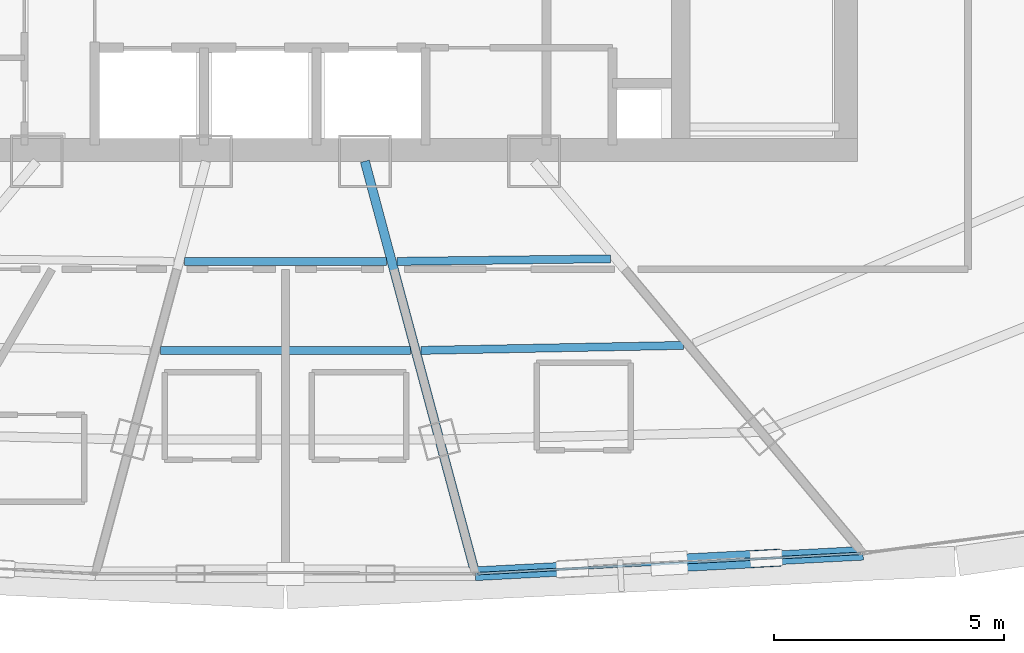
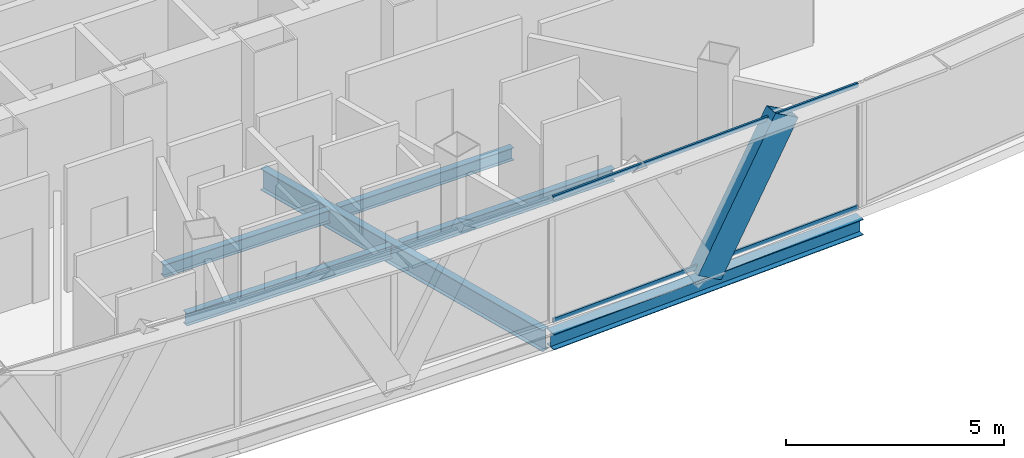
# One storey, part 11 of 37: 6 beams, 3 members, 1 element without a shape of its own.
"""IFC4 building model written with IfcOpenShell, lengths in metres."""

from ifc_helpers import new_model, si_unit, direction, frame, origin, origin_2d, place, context, subcontext, project, spatial, hollow_rectangle, i_section, extrude, source, transform, mapped, material, layer, layer_set, material_profile, profile_set, type_object, element, aggregate, save


model = new_model("IFC4")

# Units and contexts
model_context = context("Model", 3, precision=1e-05, world=origin(), true_north=direction((0.0, 1.0)))
body_context = subcontext(model_context, "Body", "Model", "MODEL_VIEW")
ifc_project = project(units=[si_unit("LENGTHUNIT", "METRE"), si_unit("AREAUNIT", "SQUARE_METRE"), si_unit("VOLUMEUNIT", "CUBIC_METRE"), si_unit("PLANEANGLEUNIT", "RADIAN"), si_unit("MASSUNIT", "GRAM", prefix="KILO"), si_unit("THERMODYNAMICTEMPERATUREUNIT", "KELVIN"), si_unit("POWERUNIT", "WATT")], contexts=[model_context])

# Site, building, storey
site_placement = place(None, origin())
site = spatial("IfcSite", under=ifc_project, at=site_placement, CompositionType="ELEMENT")
building_placement = place(site_placement, origin())
building = spatial("IfcBuilding", under=site, at=building_placement, Name="Yunzhuo Pagoda Commons", CompositionType="ELEMENT")
storey_placement = place(building_placement, frame((0.0, 0.0, 281.2900390625)))
storey = spatial("IfcBuildingStorey", under=building, at=storey_placement, Name="L70", CompositionType="ELEMENT", Elevation=281.2900390625)

# Beams
ifc_material_1 = material(Name="Structural steel Q355B", Category="steel")
ifc_material_profile_1 = material_profile(ifc_material_1, i_section(OverallWidth=0.300048828125, OverallDepth=0.43994140625, WebThickness=0.010986328125, FlangeThickness=0.01806640625, at=origin_2d()), Name="Structural steel Q355B")
ifc_profile_set_1 = profile_set([ifc_material_profile_1], Name="Structural steel Q355B")
beam_type_1 = type_object("IfcBeamType", Name="B-SP2 Beam HM 440x300x11x18", PredefinedType="BEAM", material=ifc_profile_set_1)
shared_shape_1 = source(origin(), body_context, "Body", "SweptSolid", [
    extrude(i_section(OverallWidth=0.300048828125, OverallDepth=0.43994140625, WebThickness=0.010986328125, FlangeThickness=0.01806640625, at=origin_2d()), origin(), (0.0, 0.0, 1.0), 8.447509765625),
])
beam_1_placement = place(storey_placement, frame((52.133056640625, 18.275390625, -0.47998046875), z_axis=(0.998606549518, 0.052772713206, 0.0), x_axis=(-0.052772713206, 0.998606549518, 0.0)))
element("IfcBeam", 1, at=beam_1_placement, inside=storey, type_object=beam_type_1, Name="L70 facade edge spandrel beam F1.3", PredefinedType="BEAM", context=body_context, shape_type="MappedRepresentation", body=[
    mapped(shared_shape_1, transform((0.0, 0.0, 0.0), scale=1.0)),
])
ifc_material_profile_2 = material_profile(ifc_material_1, i_section(OverallWidth=0.199951171875, OverallDepth=0.60009765625, WebThickness=0.010986328125, FlangeThickness=0.01708984375, at=origin_2d()), Name="Structural steel Q355B")
ifc_profile_set_2 = profile_set([ifc_material_profile_2], Name="Structural steel Q355B")
beam_type_2 = type_object("IfcBeamType", Name="B-RG3 Beam HN 600x200x11x17", PredefinedType="BEAM", material=ifc_profile_set_2)
shared_shape_2 = source(origin(), body_context, "Body", "SweptSolid", [
    extrude(i_section(OverallWidth=0.199951171875, OverallDepth=0.60009765625, WebThickness=0.010986328125, FlangeThickness=0.01708984375, at=origin_2d()), origin(), (0.0, 0.0, 1.0), 9.136474609375),
])
beam_2_placement = place(storey_placement, frame((52.093017578125, 18.4248046875, -0.559814453125), z_axis=(-0.258798416467, 0.965931353479, 0.0), x_axis=(-0.965931353479, -0.258798416467, 0.0)))
element("IfcBeam", 2, at=beam_2_placement, inside=storey, type_object=beam_type_2, Name="L70 radial floor girder F1C3", PredefinedType="BEAM", context=body_context, shape_type="MappedRepresentation", body=[
    mapped(shared_shape_2, transform((0.0, 0.0, 0.0), scale=1.0)),
])
ifc_material_profile_3 = material_profile(ifc_material_1, i_section(OverallWidth=0.175048828125, OverallDepth=0.35009765625, WebThickness=0.007080078125, FlangeThickness=0.010986328125, at=origin_2d()), Name="Structural steel Q355B")
ifc_profile_set_3 = profile_set([ifc_material_profile_3], Name="Structural steel Q355B")
beam_type_3 = type_object("IfcBeamType", Name="B-JS2 Joist HN 350x175x7x11", PredefinedType="JOIST", material=ifc_profile_set_3)
shared_shape_3 = source(origin(), body_context, "Body", "SweptSolid", [
    extrude(i_section(OverallWidth=0.175048828125, OverallDepth=0.35009765625, WebThickness=0.007080078125, FlangeThickness=0.010986328125, at=origin_2d()), origin(), (0.0, 0.0, 1.0), 4.64892578125),
])
beam_3_placement = place(storey_placement, frame((50.42724609375, 25.07177734375, -0.434814453125), z_axis=(0.999924495467, 0.012288342626, 0.0), x_axis=(-0.012288342626, 0.999924495467, 0.0)))
element("IfcBeam", 3, at=beam_3_placement, inside=storey, type_object=beam_type_3, Name="L70 composite ring joist 1.3", PredefinedType="JOIST", context=body_context, shape_type="MappedRepresentation", body=[
    mapped(shared_shape_3, transform((0.0, 0.0, 0.0), scale=1.0)),
])
shared_shape_4 = source(origin(), body_context, "Body", "SweptSolid", [
    extrude(i_section(OverallWidth=0.175048828125, OverallDepth=0.35009765625, WebThickness=0.007080078125, FlangeThickness=0.010986328125, at=origin_2d()), origin(), (0.0, 0.0, 1.0), 5.711669921875),
])
beam_4_placement = place(storey_placement, frame((50.9462890625, 23.135009765625, -0.434814453125), z_axis=(0.999819084998, 0.019020969297, 0.0), x_axis=(-0.019020969297, 0.999819084998, 0.0)))
element("IfcBeam", 4, at=beam_4_placement, inside=storey, type_object=beam_type_3, Name="L70 composite ring joist 2.3", PredefinedType="JOIST", context=body_context, shape_type="MappedRepresentation", body=[
    mapped(shared_shape_4, transform((0.0, 0.0, 0.0), scale=1.0)),
])
shared_shape_5 = source(origin(), body_context, "Body", "SweptSolid", [
    extrude(i_section(OverallWidth=0.175048828125, OverallDepth=0.35009765625, WebThickness=0.007080078125, FlangeThickness=0.010986328125, at=origin_2d()), origin(), (0.0, 0.0, 1.0), 4.39453125),
])
beam_5_placement = place(storey_placement, frame((45.802734375, 25.070556640625, -0.434814453125), z_axis=(1.0, 0.0, 0.0), x_axis=(0.0, 1.0, 0.0)))
element("IfcBeam", 5, at=beam_5_placement, inside=storey, type_object=beam_type_3, Name="L70 composite ring joist 1.2", PredefinedType="JOIST", context=body_context, shape_type="MappedRepresentation", body=[
    mapped(shared_shape_5, transform((0.0, 0.0, 0.0), scale=1.0)),
])
shared_shape_6 = source(origin(), body_context, "Body", "SweptSolid", [
    extrude(i_section(OverallWidth=0.175048828125, OverallDepth=0.35009765625, WebThickness=0.007080078125, FlangeThickness=0.010986328125, at=origin_2d()), origin(), (0.0, 0.0, 1.0), 5.43310546875),
])
beam_6_placement = place(storey_placement, frame((45.283447265625, 23.133056640625, -0.434814453125), z_axis=(1.0, 0.0, 0.0), x_axis=(0.0, 1.0, 0.0)))
element("IfcBeam", 6, at=beam_6_placement, inside=storey, type_object=beam_type_3, Name="L70 composite ring joist 2.2", PredefinedType="JOIST", context=body_context, shape_type="MappedRepresentation", body=[
    mapped(shared_shape_6, transform((0.0, 0.0, 0.0), scale=1.0)),
])

# Member
ifc_material_profile_4 = material_profile(ifc_material_1, hollow_rectangle(XDim=0.3798828125, YDim=0.719970703125, WallThickness=0.02001953125, at=origin_2d()), Name="Structural steel Q355B")
ifc_profile_set_4 = profile_set([ifc_material_profile_4], Name="Structural steel Q355B")
member_type_1 = type_object("IfcMemberType", Name="M-DL3 Brace BOX 720x380x20", PredefinedType="BRACE", material=ifc_profile_set_4)
shared_shape_7 = source(origin(), body_context, "Body", "SweptSolid", [
    extrude(hollow_rectangle(XDim=0.3798828125, YDim=0.719970703125, WallThickness=0.02001953125, at=origin_2d()), origin(), (0.0, 0.0, 1.0), 4.286376953125),
])
member_1_placement = place(storey_placement, frame((56.350830078125, 18.498291015625, -0.260009765625), z_axis=(0.492003866462, 0.025972882971, 0.870205495694), x_axis=(-0.052716593913, 0.998609513637, 0.0)))
element("IfcMember", 7, at=member_1_placement, inside=storey, type_object=member_type_1, Name="L70 facade diamond brace F1.3R", PredefinedType="BRACE", context=body_context, shape_type="MappedRepresentation", body=[
    mapped(shared_shape_7, transform((0.0, 0.0, 0.0), scale=1.0)),
])

# Curtain wall, members
ifc_material_2 = material(Name="Anodized aluminium 6063-T6", Category="aluminium")
ifc_layer = layer(ifc_material_2, 0.139892578125)
ifc_layer_set = layer_set([ifc_layer], Name="Anodized aluminium 6063-T6")
curtain_wall_type = type_object("IfcCurtainWallType", Name="CW-HI High-Zone Ribbon Curtain Wall", PredefinedType="NOTDEFINED", material=ifc_layer_set)
curtain_wall_placement = place(storey_placement, origin())
curtain_wall = element("IfcCurtainWall", 8, at=curtain_wall_placement, inside=storey, type_object=curtain_wall_type, Name="L70 curtain wall CW-L70-F1B4", PredefinedType="NOTDEFINED")
ifc_material_profile_5 = material_profile(ifc_material_2, hollow_rectangle(XDim=0.054931640625, YDim=0.1201171875, WallThickness=0.00341796875, at=origin_2d()), Name="Anodized aluminium 6063-T6")
ifc_profile_set_5 = profile_set([ifc_material_profile_5], Name="Anodized aluminium 6063-T6")
member_type_2 = type_object("IfcMemberType", Name="CW-HI-T Transom RHS 120x55x3.5", PredefinedType="USERDEFINED", material=ifc_profile_set_5)
shared_shape_8 = source(origin(), body_context, "Body", "SweptSolid", [
    extrude(hollow_rectangle(XDim=0.054931640625, YDim=0.1201171875, WallThickness=0.00341796875, at=origin_2d()), origin(), (0.0, 0.0, 1.0), 8.327392578125),
])
member_2_placement = place(storey_placement, frame((52.193115234375, 18.2783203125, 0.02734375), z_axis=(0.998605003422, 0.052801961515, 0.0), x_axis=(-0.052801961515, 0.998605003422, 0.0)))
member_2 = element("IfcMember", 9, at=member_2_placement, type_object=member_type_2, Name="CW transom 1.1", ObjectType="TRANSOM", PredefinedType="USERDEFINED", context=body_context, shape_type="MappedRepresentation", body=[
    mapped(shared_shape_8, transform((0.0, 0.0, 0.0), scale=1.0)),
])
member_3_placement = place(storey_placement, frame((52.193115234375, 18.2783203125, 3.4423828125), z_axis=(0.998605003422, 0.052801961515, 0.0), x_axis=(-0.052801961515, 0.998605003422, 0.0)))
member_3 = element("IfcMember", 10, at=member_3_placement, type_object=member_type_2, Name="CW transom 1.2", ObjectType="TRANSOM", PredefinedType="USERDEFINED", context=body_context, shape_type="MappedRepresentation", body=[
    mapped(shared_shape_8, transform((0.0, 0.0, 0.0), scale=1.0)),
])
aggregate(curtain_wall, [member_2, member_3])

save(model, "model.ifc")
